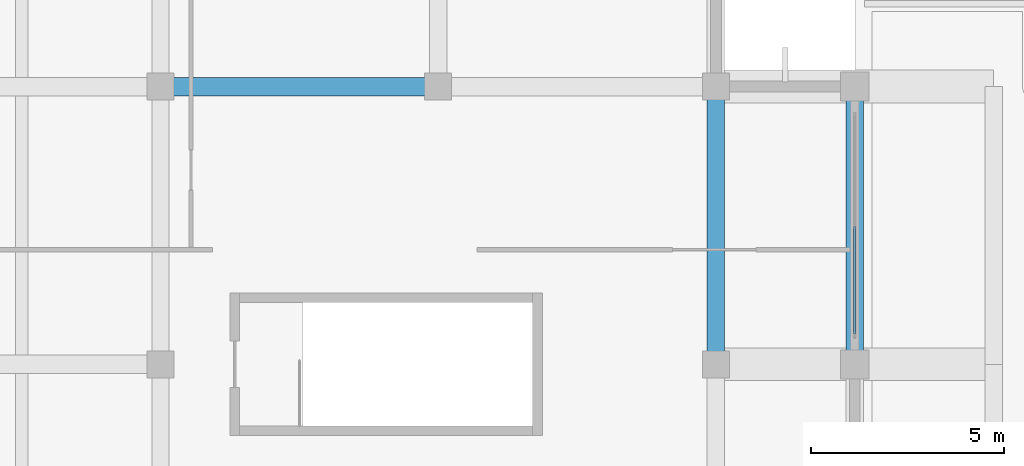
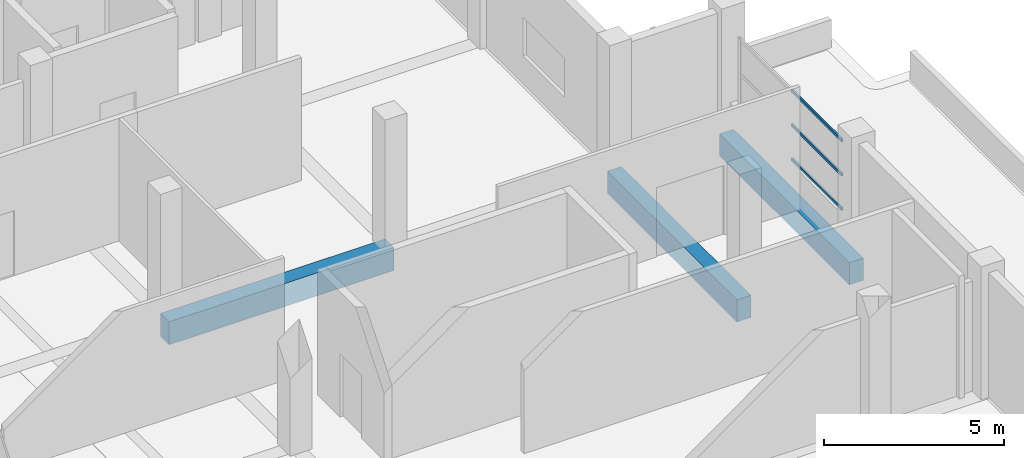
# One storey, part 5 of 24: 3 beams, 3 members, 1 element without a shape of its own.
"""IFC4 building model written with IfcOpenShell, lengths in metres."""

import ifcopenshell
import ifcopenshell.guid

model = None  # the IFC model being written
_history = None  # IfcOwnerHistory: only IFC2X3 demands one
_inside = {}  # id of a spatial element -> (the spatial element, [elements in it])
_under = {}  # id of a project, library or spatial element -> (it, [spatial elements below it])
_declared = {}  # id of a project -> (the project, [libraries it declares])
_typed = {}  # id of a type object -> (the type object, [elements of that type])
_made_of = {}  # id of a material, layer set ... -> (it, [elements and type objects made of it])


def new_model(schema):
    """Start an empty IFC model of exactly this schema.

    Asked for "IFC4X3", IfcOpenShell would pick the latest addendum, in which some entities
    have other attributes; the version numbers below select the first issue.
    IFC2X3 requires an IfcOwnerHistory on every rooted entity: one is made here for all.
    """
    global model, _history
    if schema == "IFC4X3":
        model = ifcopenshell.file(schema_version=(4, 3, 0, 0))
    else:
        model = ifcopenshell.file(schema=schema)
    _inside.clear()
    _under.clear()
    _declared.clear()
    _typed.clear()
    _made_of.clear()
    _history = None
    if model.schema == "IFC2X3":
        org = make("IfcOrganization", Name="unknown")
        user = make(
            "IfcPersonAndOrganization",
            ThePerson=make("IfcPerson", FamilyName="unknown"),
            TheOrganization=org,
        )
        app = make(
            "IfcApplication",
            ApplicationDeveloper=org,
            Version="unknown",
            ApplicationFullName="unknown",
            ApplicationIdentifier="unknown",
        )
        _history = make(
            "IfcOwnerHistory",
            OwningUser=user,
            OwningApplication=app,
            ChangeAction="ADDED",
            CreationDate=0,
        )
    return model


def make(cls, **values):
    """One entity of the class cls with the attributes given. An attribute that is None is left unset."""
    return model.create_entity(
        cls, **{name: value for name, value in values.items() if value is not None}
    )


def rooted(cls, **values):
    """An entity with a GlobalId (a new one), such as an element, a storey or a relation."""
    return make(cls, GlobalId=ifcopenshell.guid.new(), OwnerHistory=_history, **values)


def si_unit(unit_type, name, prefix=None):
    """IfcSIUnit, for example si_unit("LENGTHUNIT", "METRE", prefix="MILLI")."""
    return make("IfcSIUnit", UnitType=unit_type, Prefix=prefix, Name=name)


def assignment(units):
    """IfcUnitAssignment: the units of a project."""
    return None if units is None else make("IfcUnitAssignment", Units=units)


def point(xyz):
    """IfcCartesianPoint."""
    return None if xyz is None else make("IfcCartesianPoint", Coordinates=xyz)


def direction(xyz):
    """IfcDirection."""
    return None if xyz is None else make("IfcDirection", DirectionRatios=xyz)


def frame(location, z_axis=None, x_axis=None):
    """IfcAxis2Placement3D, a coordinate frame: its origin and axes. An axis left out is left unset."""
    return make(
        "IfcAxis2Placement3D",
        Location=point(location),
        Axis=direction(z_axis),
        RefDirection=direction(x_axis),
    )


def frame_2d(location, x_axis=None):
    """IfcAxis2Placement2D, a coordinate frame in the plane: its origin and x axis."""
    return make(
        "IfcAxis2Placement2D", Location=point(location), RefDirection=direction(x_axis)
    )


def origin():
    """The frame at (0, 0, 0) with its axes left unset."""
    return frame((0.0, 0.0, 0.0))


def origin_2d():
    """The frame at (0, 0) in the plane with its x axis left unset."""
    return frame_2d((0.0, 0.0))


def place(relative_to, where):
    """IfcLocalPlacement: puts the frame where relative to a parent placement (None: the world)."""
    return make(
        "IfcLocalPlacement", PlacementRelTo=relative_to, RelativePlacement=where
    )


def context(
    kind, dimensions, precision=None, world=None, true_north=None, identifier=None
):
    """IfcGeometricRepresentationContext, for example the 3D "Model" context."""
    return make(
        "IfcGeometricRepresentationContext",
        ContextIdentifier=identifier,
        ContextType=kind,
        CoordinateSpaceDimension=dimensions,
        Precision=precision,
        WorldCoordinateSystem=world,
        TrueNorth=true_north,
    )


def subcontext(parent, identifier, kind, view, scale=None):
    """IfcGeometricRepresentationSubContext, for example "Body" below "Model"."""
    return make(
        "IfcGeometricRepresentationSubContext",
        ContextIdentifier=identifier,
        ContextType=kind,
        ParentContext=parent,
        TargetScale=scale,
        TargetView=view,
    )


def project(units=None, contexts=None):
    """IfcProject with its units and contexts."""
    return rooted(
        "IfcProject",
        Name="project",
        RepresentationContexts=contexts,
        UnitsInContext=assignment(units),
    )


def spatial(cls, under=None, at=None, **own):
    """A site, building, storey or space (cls), placed at a placement, below another one or the project."""
    s = rooted(cls, ObjectPlacement=at, **own)
    if under is not None:
        _under.setdefault(under.id(), (under, []))[1].append(s)
    return s


def profile(cls, at=None, kind="AREA", **sizes):
    """A parametric profile (cls). Its sizes go by their IFC names, for example OverallWidth=200.0."""
    return make(cls, ProfileType=kind, Position=at, **sizes)


def rectangle(**sizes):
    """IfcRectangleProfileDef."""
    return profile("IfcRectangleProfileDef", **sizes)


def hollow_rectangle(**sizes):
    """IfcRectangleHollowProfileDef."""
    return profile("IfcRectangleHollowProfileDef", **sizes)


def extrude(swept, where, along, depth):
    """IfcExtrudedAreaSolid: the profile swept, set in the frame where, extruded along a direction by depth."""
    return make(
        "IfcExtrudedAreaSolid",
        SweptArea=swept,
        Position=where,
        ExtrudedDirection=direction(along),
        Depth=depth,
    )


def shape(context_of_items, identifier, shape_type, items):
    """IfcShapeRepresentation: the items that make up one representation, for example the "Body"."""
    return make(
        "IfcShapeRepresentation",
        ContextOfItems=context_of_items,
        RepresentationIdentifier=identifier,
        RepresentationType=shape_type,
        Items=items,
    )


def material(Name=None, Category=None):
    """IfcMaterial."""
    return make("IfcMaterial", Name=Name, Category=Category)


def layer(
    of_material, thickness, ventilated=None, Name=None, Category=None, Priority=None
):
    """IfcMaterialLayer: one layer of a wall or slab, of a material (None: an air gap)."""
    return make(
        "IfcMaterialLayer",
        Material=of_material,
        LayerThickness=thickness,
        IsVentilated=ventilated,
        Name=Name,
        Category=Category,
        Priority=Priority,
    )


def layer_set(layers, Name=None):
    """IfcMaterialLayerSet."""
    return make("IfcMaterialLayerSet", MaterialLayers=layers, LayerSetName=Name)


def material_profile(
    of_material, cross_section, Name=None, Category=None, Priority=None
):
    """IfcMaterialProfile: a cross section and its material."""
    return make(
        "IfcMaterialProfile",
        Name=Name,
        Material=of_material,
        Profile=cross_section,
        Priority=Priority,
        Category=Category,
    )


def profile_set(profiles, Name=None, composite=None):
    """IfcMaterialProfileSet."""
    return make(
        "IfcMaterialProfileSet",
        Name=Name,
        MaterialProfiles=profiles,
        CompositeProfile=composite,
    )


def made_of(thing, what):
    """Note that an element or type object is made of a material, layer set ...; save() writes the relation."""
    if what is not None:
        _made_of.setdefault(what.id(), (what, []))[1].append(thing)
    return thing


def type_object(cls, material=None, **own):
    """A type object (cls), such as IfcWallType, which elements share."""
    return made_of(rooted(cls, **own), material)


def element(
    cls,
    number,
    at=None,
    inside=None,
    cuts=None,
    type_object=None,
    material=None,
    context=None,
    identifier="Body",
    shape_type=None,
    held_by="IfcProductDefinitionShape",
    body=None,
    shapes=None,
    **own,
):
    """One element of the class cls, such as IfcWall. Its Tag is "e" and its number.

    at: its placement. inside: the storey or other place that contains it. cuts: it is an
    opening in that element (IfcRelVoidsElement). A single representation is given by context,
    identifier, shape_type and body (its items); several are given by shapes. held_by: the class
    of the entity that holds the representations. save() writes the other relations.
    """
    e = rooted(cls, Tag="e%d" % number, ObjectPlacement=at, **own)
    if body is not None:
        shapes = [shape(context, identifier, shape_type, body)]
    if shapes is not None:
        e.Representation = make(held_by, Representations=shapes)
    if inside is not None:
        _inside.setdefault(inside.id(), (inside, []))[1].append(e)
    if cuts is not None:
        rooted(
            "IfcRelVoidsElement", RelatingBuildingElement=cuts, RelatedOpeningElement=e
        )
    if type_object is not None:
        _typed.setdefault(type_object.id(), (type_object, []))[1].append(e)
    return made_of(e, material)


def aggregate(whole, parts):
    """IfcRelAggregates: a whole, such as a stair, and the parts it consists of."""
    return rooted("IfcRelAggregates", RelatingObject=whole, RelatedObjects=parts)


def save(model, path):
    """Write the relations noted so far, then the file.

    IfcRelAggregates (storeys below a building ...), IfcRelContainedInSpatialStructure (elements
    in a storey), IfcRelDefinesByType, IfcRelAssociatesMaterial and IfcRelDeclares: one each for
    every whole, place, type object, material and project.
    """
    for whole, parts in _under.values():
        aggregate(whole, parts)
    for where, things in _inside.values():
        rooted(
            "IfcRelContainedInSpatialStructure",
            RelatedElements=things,
            RelatingStructure=where,
        )
    for kind, things in _typed.values():
        rooted("IfcRelDefinesByType", RelatedObjects=things, RelatingType=kind)
    for what, things in _made_of.values():
        rooted("IfcRelAssociatesMaterial", RelatedObjects=things, RelatingMaterial=what)
    for by, libraries in _declared.values():
        rooted("IfcRelDeclares", RelatingContext=by, RelatedDefinitions=libraries)
    model.write(path)


model = new_model("IFC4")

# Units and contexts
model_context = context("Model", 3, precision=1e-05, world=origin(), true_north=direction((0.0, 1.0)))
body_context = subcontext(model_context, "Body", "Model", "MODEL_VIEW")
ifc_project = project(units=[si_unit("LENGTHUNIT", "METRE"), si_unit("AREAUNIT", "SQUARE_METRE"), si_unit("VOLUMEUNIT", "CUBIC_METRE"), si_unit("PLANEANGLEUNIT", "RADIAN"), si_unit("MASSUNIT", "GRAM", prefix="KILO")], contexts=[model_context])

# Site, building, storey
site_placement = place(None, origin())
site = spatial("IfcSite", under=ifc_project, at=site_placement, CompositionType="ELEMENT")
building_placement = place(site_placement, origin())
building = spatial("IfcBuilding", under=site, at=building_placement, Name="Seraya Terrace Polytechnic", CompositionType="ELEMENT")
storey_placement = place(building_placement, frame((0.0, 0.0, 18.89990234375)))
storey = spatial("IfcBuildingStorey", under=building, at=storey_placement, Name="L04", CompositionType="ELEMENT", Elevation=18.89990234375)

# Beams
ifc_material_1 = material(Name="Concrete C40/50", Category="concrete")
ifc_material_profile_1 = material_profile(ifc_material_1, rectangle(XDim=0.47998046875, YDim=0.780029296875, at=origin_2d()), Name="RC 480x780")
ifc_profile_set_1 = profile_set([ifc_material_profile_1], Name="Concrete C40/50")
beam_type_1 = type_object("IfcBeamType", Name="BM-06", PredefinedType="BEAM", material=ifc_profile_set_1)
beam_placement = place(storey_placement, frame((93.60009765625, 28.800048828125, -0.389892578125), z_axis=(1.0, 0.0, 0.0), x_axis=(0.0, 1.0, 0.0)))
element("IfcBeam", 1, at=beam_placement, inside=storey, type_object=beam_type_1, Name="Beam BM-06 L04 X (93.6..100.8, 28.8)", PredefinedType="BEAM", context=body_context, shape_type="SweptSolid", body=[
    extrude(rectangle(XDim=0.47998046875, YDim=0.780029296875, at=origin_2d()), origin(), (0.0, 0.0, 1.0), 7.199951171875),
])
ifc_material_profile_2 = material_profile(ifc_material_1, rectangle(XDim=0.449951171875, YDim=0.75, at=origin_2d()), Name="RC 450x750")
ifc_profile_set_2 = profile_set([ifc_material_profile_2], Name="Concrete C40/50")
beam_type_2 = type_object("IfcBeamType", Name="BM-08", PredefinedType="BEAM", material=ifc_profile_set_2)
for number, where, z_axis, x_axis, name in (
    (2, (108.0, 21.60009765625, -0.375), (0.0, 1.0, 0.0), (-1.0, 0.0, 0.0), "Beam BM-08 L04 Y (108.0, 21.6..28.8)"),
    (3, (111.60009765625, 21.60009765625, -0.375), (0.0, 1.0, 0.0), (-1.0, 0.0, 0.0), "Beam BM-08 L04 Y (111.6, 21.6..28.8)"),
):
    element("IfcBeam", number, at=place(storey_placement, frame(where, z_axis=z_axis, x_axis=x_axis)), inside=storey, type_object=beam_type_2, Name=name, PredefinedType="BEAM", context=body_context, shape_type="SweptSolid", body=[
        extrude(rectangle(XDim=0.449951171875, YDim=0.75, at=origin_2d()), origin(), (0.0, 0.0, 1.0), 7.199951171875),
    ])

# Curtain wall, members
ifc_material_2 = material(Name="Anodised aluminium EN AW-6063 T6", Category="aluminium")
ifc_layer = layer(ifc_material_2, 0.179931640625, Name="CW-12")
ifc_layer_set = layer_set([ifc_layer], Name="Anodised aluminium EN AW-6063 T6")
curtain_wall_type = type_object("IfcCurtainWallType", Name="CW-12", PredefinedType="NOTDEFINED", material=ifc_layer_set)
curtain_wall_placement = place(storey_placement, origin())
curtain_wall = element("IfcCurtainWall", 4, at=curtain_wall_placement, inside=storey, type_object=curtain_wall_type, Name="Unitised curtain wall CW-12 (CW-L04-156)", PredefinedType="NOTDEFINED")
ifc_material_profile_3 = material_profile(ifc_material_2, hollow_rectangle(XDim=0.054931640625, YDim=0.10009765625, WallThickness=0.0029296875, at=origin_2d()), Name="RHS 100x55x3.0")
ifc_profile_set_3 = profile_set([ifc_material_profile_3], Name="Anodised aluminium EN AW-6063 T6")
member_type = type_object("IfcMemberType", Name="CWT-03", PredefinedType="USERDEFINED", material=ifc_profile_set_3)
member_1_placement = place(storey_placement, frame((111.60009765625, 25.169921875, 1.267578125), z_axis=(0.0, -1.0, 0.0), x_axis=(1.0, 0.0, 0.0)))
member_1 = element("IfcMember", 5, at=member_1_placement, type_object=member_type, Name="CW-12 transom 2.1", ObjectType="TRANSOM", PredefinedType="USERDEFINED", context=body_context, shape_type="SweptSolid", body=[
    extrude(hollow_rectangle(XDim=0.054931640625, YDim=0.10009765625, WallThickness=0.0029296875, at=origin_2d()), origin(), (0.0, 0.0, 1.0), 2.7900390625),
])
member_2_placement = place(storey_placement, frame((111.60009765625, 25.169921875, 2.43017578125), z_axis=(0.0, -1.0, 0.0), x_axis=(1.0, 0.0, 0.0)))
member_2 = element("IfcMember", 6, at=member_2_placement, type_object=member_type, Name="CW-12 transom 2.2", ObjectType="TRANSOM", PredefinedType="USERDEFINED", context=body_context, shape_type="SweptSolid", body=[
    extrude(hollow_rectangle(XDim=0.054931640625, YDim=0.10009765625, WallThickness=0.0029296875, at=origin_2d()), origin(), (0.0, 0.0, 1.0), 2.7900390625),
])
member_3_placement = place(storey_placement, frame((111.60009765625, 25.169921875, 3.592529296875), z_axis=(0.0, -1.0, 0.0), x_axis=(1.0, 0.0, 0.0)))
member_3 = element("IfcMember", 7, at=member_3_placement, type_object=member_type, Name="CW-12 transom 2.3", ObjectType="TRANSOM", PredefinedType="USERDEFINED", context=body_context, shape_type="SweptSolid", body=[
    extrude(hollow_rectangle(XDim=0.054931640625, YDim=0.10009765625, WallThickness=0.0029296875, at=origin_2d()), origin(), (0.0, 0.0, 1.0), 2.7900390625),
])
aggregate(curtain_wall, [member_1, member_2, member_3])

save(model, "model.ifc")
